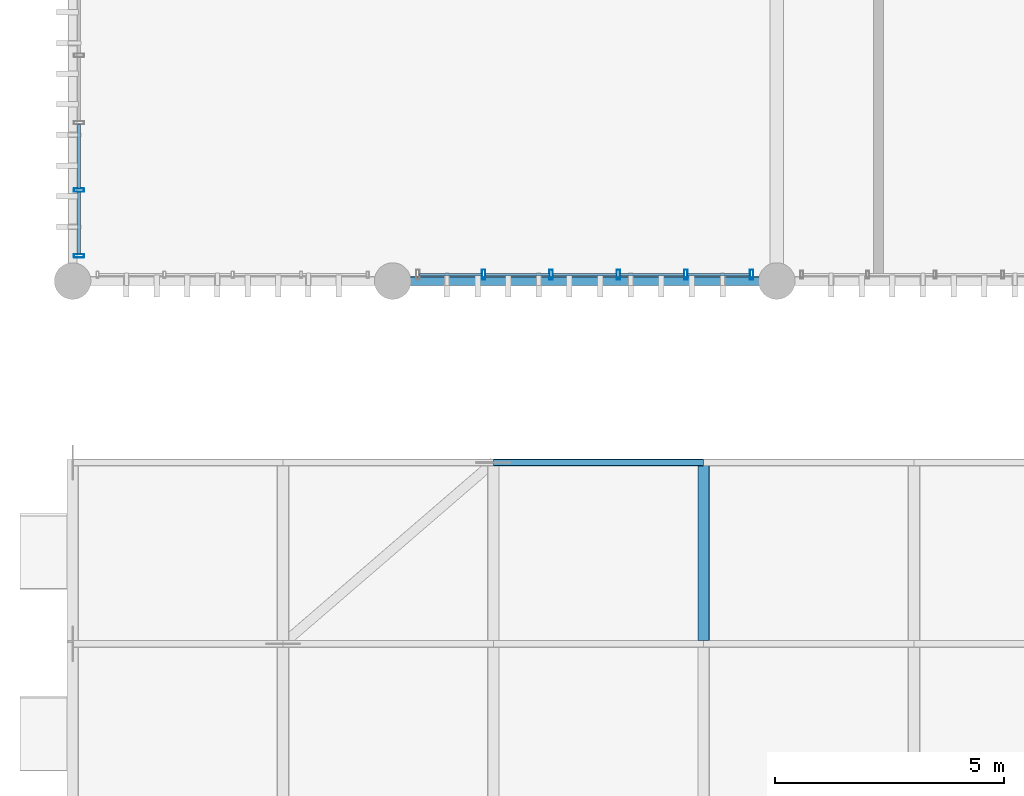
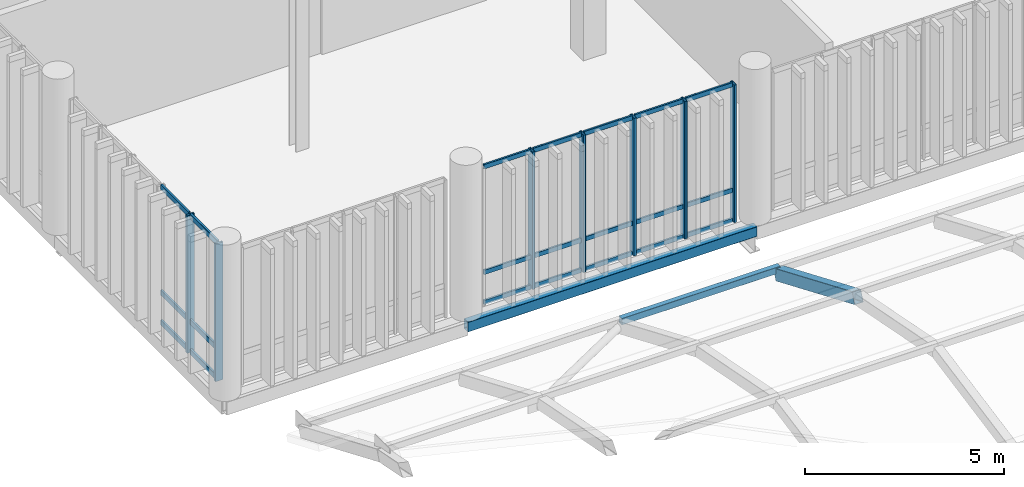
# One storey, part 13 of 94: 29 members, 2 beams, 2 elements without a shape of their own.
"""IFC4 building model written with IfcOpenShell, lengths in metres."""

from ifc_helpers import new_model, si_unit, direction, frame, origin_with_axes, origin_2d_with_axis, place, context, subcontext, project, spatial, hollow_rectangle, extrude, material, material_profile, profile_set, type_object, element, aggregate, save


model = new_model("IFC4")

# Units and contexts
model_context = context("Model", 3, precision=1e-05, world=origin_with_axes(), true_north=direction((0.0, 1.0)))
body_context = subcontext(model_context, "Body", "Model", "MODEL_VIEW")
ifc_project = project(units=[si_unit("LENGTHUNIT", "METRE"), si_unit("AREAUNIT", "SQUARE_METRE"), si_unit("VOLUMEUNIT", "CUBIC_METRE"), si_unit("PLANEANGLEUNIT", "RADIAN"), si_unit("MASSUNIT", "GRAM", prefix="KILO"), si_unit("THERMODYNAMICTEMPERATUREUNIT", "KELVIN")], contexts=[model_context])

# Site, building, storey
site_placement = place(None, origin_with_axes())
site = spatial("IfcSite", under=ifc_project, at=site_placement, CompositionType="ELEMENT")
building_placement = place(site_placement, origin_with_axes())
building = spatial("IfcBuilding", under=site, at=building_placement, Name="Montbau Bow Law Courts", CompositionType="ELEMENT")
storey_placement = place(building_placement, frame((0.0, 0.0, 15.6), z_axis=(0.0, 0.0, 1.0), x_axis=(1.0, 0.0, 0.0)))
storey = spatial("IfcBuildingStorey", under=building, at=storey_placement, Name="L03", CompositionType="ELEMENT", Elevation=15.6)

# Beams
ifc_material_1 = material(Name="Steel CSA G40.21 Grade 350WT (350 MPa)", Category="steel")
ifc_material_profile_1 = material_profile(ifc_material_1, hollow_rectangle(XDim=0.254, YDim=0.356, WallThickness=0.0127, InnerFilletRadius=0.0254, OuterFilletRadius=0.0127, at=origin_2d_with_axis()), Name="HSS356X254X13", Category="Main", Priority=0)
ifc_profile_set_1 = profile_set([ifc_material_profile_1], Name="Steel CSA G40.21 Grade 350WT (350 MPa)")
beam_type_1 = type_object("IfcBeamType", Name="B-ARC-01", PredefinedType="USERDEFINED", material=ifc_profile_set_1)
beam_1_placement = place(None, frame((20.6, 22.667, 18.511), z_axis=(0.0, 0.921210714, -0.389064031), x_axis=(-1.0, 0.0, 0.0)))
element("IfcBeam", 1, at=beam_1_placement, inside=storey, type_object=beam_type_1, Name="Barrel vault roof truss arch rib V1-023", ObjectType="ARCH_RIB", PredefinedType="USERDEFINED", context=body_context, shape_type="SweptSolid", body=[
    extrude(hollow_rectangle(XDim=0.254, YDim=0.356, WallThickness=0.0127, InnerFilletRadius=0.0254, OuterFilletRadius=0.0127, at=origin_2d_with_axis()), origin_with_axes(), (0.0, 0.0, 1.0), 4.305204),
])
ifc_material_profile_2 = material_profile(ifc_material_1, hollow_rectangle(XDim=0.203, YDim=0.305, WallThickness=0.0127, InnerFilletRadius=0.0254, OuterFilletRadius=0.0127, at=origin_2d_with_axis()), Name="HSS305X203X13", Category="Main", Priority=0)
ifc_profile_set_2 = profile_set([ifc_material_profile_2], Name="Steel CSA G40.21 Grade 350WT (350 MPa)")
beam_type_2 = type_object("IfcBeamType", Name="B-SPN-02", PredefinedType="SPANDREL", material=ifc_profile_set_2)
beam_2_placement = place(None, frame((13.8, 30.6, 15.207), z_axis=(1.0, 0.0, 0.0), x_axis=(0.0, 1.0, 0.0)))
element("IfcBeam", 2, at=beam_2_placement, inside=storey, type_object=beam_type_2, Name="SPN-L03-S0582:bm2_0585", PredefinedType="SPANDREL", context=body_context, shape_type="SweptSolid", body=[
    extrude(hollow_rectangle(XDim=0.203, YDim=0.305, WallThickness=0.0127, InnerFilletRadius=0.0254, OuterFilletRadius=0.0127, at=origin_2d_with_axis()), origin_with_axes(), (0.0, 0.0, 1.0), 8.4),
])

# Curtain wall, members
ifc_material_2 = material(Name="Thermally Broken Extruded Aluminium AA 6063-T6", Category="aluminium")
curtain_wall_type = type_object("IfcCurtainWallType", Name="CW-TRC-01", PredefinedType="NOTDEFINED", material=ifc_material_2)
curtain_wall_1_placement = place(None, frame((14.315, 30.74, 15.6), z_axis=(0.0, 0.0, 1.0), x_axis=(1.0, 0.0, 0.0)))
curtain_wall_1 = element("IfcCurtainWall", 3, at=curtain_wall_1_placement, inside=storey, type_object=curtain_wall_type, Name="CW-L03-051:cw_0051", PredefinedType="NOTDEFINED")
ifc_material_profile_3 = material_profile(ifc_material_2, hollow_rectangle(XDim=0.075, YDim=0.22, WallThickness=0.005, InnerFilletRadius=0.01, OuterFilletRadius=0.005, at=origin_2d_with_axis()), Name="CWM-220X75", Category="Main", Priority=0)
ifc_profile_set_3 = profile_set([ifc_material_profile_3], Name="Thermally Broken Extruded Aluminium AA 6063-T6")
member_type_1 = type_object("IfcMemberType", Name="M-MUL-01", PredefinedType="MULLION", material=ifc_profile_set_3)
member_1_placement = place(None, frame((15.789, 30.74, 15.6), z_axis=(0.0, 0.0, 1.0), x_axis=(1.0, 0.0, 0.0)))
member_1 = element("IfcMember", 4, at=member_1_placement, type_object=member_type_1, Name="CW-L03-051-M02:cw_0051_M02", PredefinedType="MULLION", context=body_context, shape_type="SweptSolid", body=[
    extrude(hollow_rectangle(XDim=0.075, YDim=0.22, WallThickness=0.005, InnerFilletRadius=0.01, OuterFilletRadius=0.005, at=origin_2d_with_axis()), origin_with_axes(), (0.0, 0.0, 1.0), 4.22),
])
member_2_placement = place(None, frame((17.263, 30.74, 15.6), z_axis=(0.0, 0.0, 1.0), x_axis=(1.0, 0.0, 0.0)))
member_2 = element("IfcMember", 5, at=member_2_placement, type_object=member_type_1, Name="CW-L03-051-M03:cw_0051_M03", PredefinedType="MULLION", context=body_context, shape_type="SweptSolid", body=[
    extrude(hollow_rectangle(XDim=0.075, YDim=0.22, WallThickness=0.005, InnerFilletRadius=0.01, OuterFilletRadius=0.005, at=origin_2d_with_axis()), origin_with_axes(), (0.0, 0.0, 1.0), 4.22),
])
member_3_placement = place(None, frame((18.737, 30.74, 15.6), z_axis=(0.0, 0.0, 1.0), x_axis=(1.0, 0.0, 0.0)))
member_3 = element("IfcMember", 6, at=member_3_placement, type_object=member_type_1, Name="CW-L03-051-M04:cw_0051_M04", PredefinedType="MULLION", context=body_context, shape_type="SweptSolid", body=[
    extrude(hollow_rectangle(XDim=0.075, YDim=0.22, WallThickness=0.005, InnerFilletRadius=0.01, OuterFilletRadius=0.005, at=origin_2d_with_axis()), origin_with_axes(), (0.0, 0.0, 1.0), 4.22),
])
member_4_placement = place(None, frame((20.211, 30.74, 15.6), z_axis=(0.0, 0.0, 1.0), x_axis=(1.0, 0.0, 0.0)))
member_4 = element("IfcMember", 7, at=member_4_placement, type_object=member_type_1, Name="CW-L03-051-M05:cw_0051_M05", PredefinedType="MULLION", context=body_context, shape_type="SweptSolid", body=[
    extrude(hollow_rectangle(XDim=0.075, YDim=0.22, WallThickness=0.005, InnerFilletRadius=0.01, OuterFilletRadius=0.005, at=origin_2d_with_axis()), origin_with_axes(), (0.0, 0.0, 1.0), 4.22),
])
member_5_placement = place(None, frame((21.647, 30.74, 15.6), z_axis=(0.0, 0.0, 1.0), x_axis=(1.0, 0.0, 0.0)))
member_5 = element("IfcMember", 8, at=member_5_placement, type_object=member_type_1, Name="CW-L03-051-M06:cw_0051_M06", PredefinedType="MULLION", context=body_context, shape_type="SweptSolid", body=[
    extrude(hollow_rectangle(XDim=0.075, YDim=0.22, WallThickness=0.005, InnerFilletRadius=0.01, OuterFilletRadius=0.005, at=origin_2d_with_axis()), origin_with_axes(), (0.0, 0.0, 1.0), 4.22),
])

curtain_wall_2_placement = place(None, frame((6.94, 31.115, 15.6), z_axis=(0.0, 0.0, 1.0), x_axis=(1.0, 0.0, 0.0)))
curtain_wall_2 = element("IfcCurtainWall", 9, at=curtain_wall_2_placement, inside=storey, type_object=curtain_wall_type, Name="CW-L03-060:cw_0060", PredefinedType="NOTDEFINED")
member_6_placement = place(None, frame((6.94, 31.152, 15.6), z_axis=(0.0, 0.0, 1.0), x_axis=(0.0, 1.0, 0.0)))
member_6 = element("IfcMember", 10, at=member_6_placement, type_object=member_type_1, Name="CW-L03-060-M01:cw_0060_M01", PredefinedType="MULLION", context=body_context, shape_type="SweptSolid", body=[
    extrude(hollow_rectangle(XDim=0.075, YDim=0.22, WallThickness=0.005, InnerFilletRadius=0.01, OuterFilletRadius=0.005, at=origin_2d_with_axis()), origin_with_axes(), (0.0, 0.0, 1.0), 4.22),
])
member_7_placement = place(None, frame((6.94, 32.589, 15.6), z_axis=(0.0, 0.0, 1.0), x_axis=(0.0, 1.0, 0.0)))
member_7 = element("IfcMember", 11, at=member_7_placement, type_object=member_type_1, Name="CW-L03-060-M02:cw_0060_M02", PredefinedType="MULLION", context=body_context, shape_type="SweptSolid", body=[
    extrude(hollow_rectangle(XDim=0.075, YDim=0.22, WallThickness=0.005, InnerFilletRadius=0.01, OuterFilletRadius=0.005, at=origin_2d_with_axis()), origin_with_axes(), (0.0, 0.0, 1.0), 4.22),
])

# Member
ifc_material_profile_4 = material_profile(ifc_material_1, hollow_rectangle(XDim=0.152, YDim=0.203, WallThickness=0.0095, InnerFilletRadius=0.019, OuterFilletRadius=0.0095, at=origin_2d_with_axis()), Name="HSS203X152X9.5", Category="Main", Priority=0)
ifc_profile_set_4 = profile_set([ifc_material_profile_4], Name="Steel CSA G40.21 Grade 350WT (350 MPa)")
member_type_2 = type_object("IfcMemberType", Name="M-PUR-01", PredefinedType="PURLIN", material=ifc_profile_set_4)
member_8_placement = place(None, frame((16.0, 26.633, 16.994), z_axis=(1.0, 0.0, 0.0), x_axis=(0.0, 1.0, 0.0)))
element("IfcMember", 12, at=member_8_placement, inside=storey, type_object=member_type_2, Name="Barrel vault roof truss purlin V1-020", PredefinedType="PURLIN", context=body_context, shape_type="SweptSolid", body=[
    extrude(hollow_rectangle(XDim=0.152, YDim=0.203, WallThickness=0.0095, InnerFilletRadius=0.019, OuterFilletRadius=0.0095, at=origin_2d_with_axis()), origin_with_axes(), (0.0, 0.0, 1.0), 4.6),
])

ifc_material_profile_5 = material_profile(ifc_material_2, hollow_rectangle(XDim=0.06, YDim=0.16, WallThickness=0.004, InnerFilletRadius=0.008, OuterFilletRadius=0.004, at=origin_2d_with_axis()), Name="CWT-160X60", Category="Main", Priority=0)
ifc_profile_set_5 = profile_set([ifc_material_profile_5], Name="Thermally Broken Extruded Aluminium AA 6063-T6")
member_type_3 = type_object("IfcMemberType", Name="M-TRN-01", PredefinedType="USERDEFINED", material=ifc_profile_set_5)
member_9_placement = place(None, frame((6.94, 31.191, 15.63), z_axis=(0.0, 1.0, 0.0), x_axis=(-1.0, 0.0, 0.0)))
member_9 = element("IfcMember", 13, at=member_9_placement, type_object=member_type_3, Name="CW-L03-060-T01-1:cw_0060_T01_1", ObjectType="TRANSOM", PredefinedType="USERDEFINED", context=body_context, shape_type="SweptSolid", body=[
    extrude(hollow_rectangle(XDim=0.06, YDim=0.16, WallThickness=0.004, InnerFilletRadius=0.008, OuterFilletRadius=0.004, at=origin_2d_with_axis()), origin_with_axes(), (0.0, 0.0, 1.0), 1.358),
])

member_10_placement = place(None, frame((6.94, 31.191, 16.55), z_axis=(0.0, 1.0, 0.0), x_axis=(-1.0, 0.0, 0.0)))
member_10 = element("IfcMember", 14, at=member_10_placement, type_object=member_type_3, Name="CW-L03-060-T01-2:cw_0060_T01_2", ObjectType="TRANSOM", PredefinedType="USERDEFINED", context=body_context, shape_type="SweptSolid", body=[
    extrude(hollow_rectangle(XDim=0.06, YDim=0.16, WallThickness=0.004, InnerFilletRadius=0.008, OuterFilletRadius=0.004, at=origin_2d_with_axis()), origin_with_axes(), (0.0, 0.0, 1.0), 1.358),
])

member_11_placement = place(None, frame((6.94, 31.191, 19.79), z_axis=(0.0, 1.0, 0.0), x_axis=(-1.0, 0.0, 0.0)))
member_11 = element("IfcMember", 15, at=member_11_placement, type_object=member_type_3, Name="CW-L03-060-T01-3:cw_0060_T01_3", ObjectType="TRANSOM", PredefinedType="USERDEFINED", context=body_context, shape_type="SweptSolid", body=[
    extrude(hollow_rectangle(XDim=0.06, YDim=0.16, WallThickness=0.004, InnerFilletRadius=0.008, OuterFilletRadius=0.004, at=origin_2d_with_axis()), origin_with_axes(), (0.0, 0.0, 1.0), 1.358),
])

member_12_placement = place(None, frame((6.94, 32.629, 15.63), z_axis=(0.0, 1.0, 0.0), x_axis=(-1.0, 0.0, 0.0)))
member_12 = element("IfcMember", 16, at=member_12_placement, type_object=member_type_3, Name="CW-L03-060-T02-1:cw_0060_T02_1", ObjectType="TRANSOM", PredefinedType="USERDEFINED", context=body_context, shape_type="SweptSolid", body=[
    extrude(hollow_rectangle(XDim=0.06, YDim=0.16, WallThickness=0.004, InnerFilletRadius=0.008, OuterFilletRadius=0.004, at=origin_2d_with_axis()), origin_with_axes(), (0.0, 0.0, 1.0), 1.395),
])

member_13_placement = place(None, frame((6.94, 32.629, 16.55), z_axis=(0.0, 1.0, 0.0), x_axis=(-1.0, 0.0, 0.0)))
member_13 = element("IfcMember", 17, at=member_13_placement, type_object=member_type_3, Name="CW-L03-060-T02-2:cw_0060_T02_2", ObjectType="TRANSOM", PredefinedType="USERDEFINED", context=body_context, shape_type="SweptSolid", body=[
    extrude(hollow_rectangle(XDim=0.06, YDim=0.16, WallThickness=0.004, InnerFilletRadius=0.008, OuterFilletRadius=0.004, at=origin_2d_with_axis()), origin_with_axes(), (0.0, 0.0, 1.0), 1.395),
])

member_14_placement = place(None, frame((6.94, 32.629, 19.79), z_axis=(0.0, 1.0, 0.0), x_axis=(-1.0, 0.0, 0.0)))
member_14 = element("IfcMember", 18, at=member_14_placement, type_object=member_type_3, Name="CW-L03-060-T02-3:cw_0060_T02_3", ObjectType="TRANSOM", PredefinedType="USERDEFINED", context=body_context, shape_type="SweptSolid", body=[
    extrude(hollow_rectangle(XDim=0.06, YDim=0.16, WallThickness=0.004, InnerFilletRadius=0.008, OuterFilletRadius=0.004, at=origin_2d_with_axis()), origin_with_axes(), (0.0, 0.0, 1.0), 1.395),
])

aggregate(curtain_wall_2, [member_6, member_7, member_9, member_10, member_11, member_12, member_13, member_14])

ifc_material_profile_6 = material_profile(ifc_material_2, hollow_rectangle(XDim=0.055, YDim=0.14, WallThickness=0.004, InnerFilletRadius=0.008, OuterFilletRadius=0.004, at=origin_2d_with_axis()), Name="CWT-140X55", Category="Main", Priority=0)
ifc_profile_set_6 = profile_set([ifc_material_profile_6], Name="Thermally Broken Extruded Aluminium AA 6063-T6")
member_type_4 = type_object("IfcMemberType", Name="M-TRN-02", PredefinedType="USERDEFINED", material=ifc_profile_set_6)
member_15_placement = place(None, frame((14.391, 30.74, 15.627), z_axis=(1.0, 0.0, 0.0), x_axis=(0.0, 1.0, 0.0)))
member_15 = element("IfcMember", 19, at=member_15_placement, type_object=member_type_4, Name="CW-L03-051-T01-1:cw_0051_T01_1", ObjectType="TRANSOM", PredefinedType="USERDEFINED", context=body_context, shape_type="SweptSolid", body=[
    extrude(hollow_rectangle(XDim=0.055, YDim=0.14, WallThickness=0.004, InnerFilletRadius=0.008, OuterFilletRadius=0.004, at=origin_2d_with_axis()), origin_with_axes(), (0.0, 0.0, 1.0), 1.358),
])

member_16_placement = place(None, frame((14.391, 30.74, 16.55), z_axis=(1.0, 0.0, 0.0), x_axis=(0.0, 1.0, 0.0)))
member_16 = element("IfcMember", 20, at=member_16_placement, type_object=member_type_4, Name="CW-L03-051-T01-2:cw_0051_T01_2", ObjectType="TRANSOM", PredefinedType="USERDEFINED", context=body_context, shape_type="SweptSolid", body=[
    extrude(hollow_rectangle(XDim=0.055, YDim=0.14, WallThickness=0.004, InnerFilletRadius=0.008, OuterFilletRadius=0.004, at=origin_2d_with_axis()), origin_with_axes(), (0.0, 0.0, 1.0), 1.358),
])

member_17_placement = place(None, frame((14.391, 30.74, 19.793), z_axis=(1.0, 0.0, 0.0), x_axis=(0.0, 1.0, 0.0)))
member_17 = element("IfcMember", 21, at=member_17_placement, type_object=member_type_4, Name="CW-L03-051-T01-3:cw_0051_T01_3", ObjectType="TRANSOM", PredefinedType="USERDEFINED", context=body_context, shape_type="SweptSolid", body=[
    extrude(hollow_rectangle(XDim=0.055, YDim=0.14, WallThickness=0.004, InnerFilletRadius=0.008, OuterFilletRadius=0.004, at=origin_2d_with_axis()), origin_with_axes(), (0.0, 0.0, 1.0), 1.358),
])

member_18_placement = place(None, frame((15.829, 30.74, 15.627), z_axis=(1.0, 0.0, 0.0), x_axis=(0.0, 1.0, 0.0)))
member_18 = element("IfcMember", 22, at=member_18_placement, type_object=member_type_4, Name="CW-L03-051-T02-1:cw_0051_T02_1", ObjectType="TRANSOM", PredefinedType="USERDEFINED", context=body_context, shape_type="SweptSolid", body=[
    extrude(hollow_rectangle(XDim=0.055, YDim=0.14, WallThickness=0.004, InnerFilletRadius=0.008, OuterFilletRadius=0.004, at=origin_2d_with_axis()), origin_with_axes(), (0.0, 0.0, 1.0), 1.395),
])

member_19_placement = place(None, frame((15.829, 30.74, 16.55), z_axis=(1.0, 0.0, 0.0), x_axis=(0.0, 1.0, 0.0)))
member_19 = element("IfcMember", 23, at=member_19_placement, type_object=member_type_4, Name="CW-L03-051-T02-2:cw_0051_T02_2", ObjectType="TRANSOM", PredefinedType="USERDEFINED", context=body_context, shape_type="SweptSolid", body=[
    extrude(hollow_rectangle(XDim=0.055, YDim=0.14, WallThickness=0.004, InnerFilletRadius=0.008, OuterFilletRadius=0.004, at=origin_2d_with_axis()), origin_with_axes(), (0.0, 0.0, 1.0), 1.395),
])

member_20_placement = place(None, frame((15.829, 30.74, 19.793), z_axis=(1.0, 0.0, 0.0), x_axis=(0.0, 1.0, 0.0)))
member_20 = element("IfcMember", 24, at=member_20_placement, type_object=member_type_4, Name="CW-L03-051-T02-3:cw_0051_T02_3", ObjectType="TRANSOM", PredefinedType="USERDEFINED", context=body_context, shape_type="SweptSolid", body=[
    extrude(hollow_rectangle(XDim=0.055, YDim=0.14, WallThickness=0.004, InnerFilletRadius=0.008, OuterFilletRadius=0.004, at=origin_2d_with_axis()), origin_with_axes(), (0.0, 0.0, 1.0), 1.395),
])

member_21_placement = place(None, frame((17.302, 30.74, 15.627), z_axis=(1.0, 0.0, 0.0), x_axis=(0.0, 1.0, 0.0)))
member_21 = element("IfcMember", 25, at=member_21_placement, type_object=member_type_4, Name="CW-L03-051-T03-1:cw_0051_T03_1", ObjectType="TRANSOM", PredefinedType="USERDEFINED", context=body_context, shape_type="SweptSolid", body=[
    extrude(hollow_rectangle(XDim=0.055, YDim=0.14, WallThickness=0.004, InnerFilletRadius=0.008, OuterFilletRadius=0.004, at=origin_2d_with_axis()), origin_with_axes(), (0.0, 0.0, 1.0), 1.396),
])

member_22_placement = place(None, frame((17.302, 30.74, 16.55), z_axis=(1.0, 0.0, 0.0), x_axis=(0.0, 1.0, 0.0)))
member_22 = element("IfcMember", 26, at=member_22_placement, type_object=member_type_4, Name="CW-L03-051-T03-2:cw_0051_T03_2", ObjectType="TRANSOM", PredefinedType="USERDEFINED", context=body_context, shape_type="SweptSolid", body=[
    extrude(hollow_rectangle(XDim=0.055, YDim=0.14, WallThickness=0.004, InnerFilletRadius=0.008, OuterFilletRadius=0.004, at=origin_2d_with_axis()), origin_with_axes(), (0.0, 0.0, 1.0), 1.396),
])

member_23_placement = place(None, frame((17.302, 30.74, 19.793), z_axis=(1.0, 0.0, 0.0), x_axis=(0.0, 1.0, 0.0)))
member_23 = element("IfcMember", 27, at=member_23_placement, type_object=member_type_4, Name="CW-L03-051-T03-3:cw_0051_T03_3", ObjectType="TRANSOM", PredefinedType="USERDEFINED", context=body_context, shape_type="SweptSolid", body=[
    extrude(hollow_rectangle(XDim=0.055, YDim=0.14, WallThickness=0.004, InnerFilletRadius=0.008, OuterFilletRadius=0.004, at=origin_2d_with_axis()), origin_with_axes(), (0.0, 0.0, 1.0), 1.396),
])

member_24_placement = place(None, frame((18.776, 30.74, 15.627), z_axis=(1.0, 0.0, 0.0), x_axis=(0.0, 1.0, 0.0)))
member_24 = element("IfcMember", 28, at=member_24_placement, type_object=member_type_4, Name="CW-L03-051-T04-1:cw_0051_T04_1", ObjectType="TRANSOM", PredefinedType="USERDEFINED", context=body_context, shape_type="SweptSolid", body=[
    extrude(hollow_rectangle(XDim=0.055, YDim=0.14, WallThickness=0.004, InnerFilletRadius=0.008, OuterFilletRadius=0.004, at=origin_2d_with_axis()), origin_with_axes(), (0.0, 0.0, 1.0), 1.396),
])

member_25_placement = place(None, frame((18.776, 30.74, 16.55), z_axis=(1.0, 0.0, 0.0), x_axis=(0.0, 1.0, 0.0)))
member_25 = element("IfcMember", 29, at=member_25_placement, type_object=member_type_4, Name="CW-L03-051-T04-2:cw_0051_T04_2", ObjectType="TRANSOM", PredefinedType="USERDEFINED", context=body_context, shape_type="SweptSolid", body=[
    extrude(hollow_rectangle(XDim=0.055, YDim=0.14, WallThickness=0.004, InnerFilletRadius=0.008, OuterFilletRadius=0.004, at=origin_2d_with_axis()), origin_with_axes(), (0.0, 0.0, 1.0), 1.396),
])

member_26_placement = place(None, frame((18.776, 30.74, 19.793), z_axis=(1.0, 0.0, 0.0), x_axis=(0.0, 1.0, 0.0)))
member_26 = element("IfcMember", 30, at=member_26_placement, type_object=member_type_4, Name="CW-L03-051-T04-3:cw_0051_T04_3", ObjectType="TRANSOM", PredefinedType="USERDEFINED", context=body_context, shape_type="SweptSolid", body=[
    extrude(hollow_rectangle(XDim=0.055, YDim=0.14, WallThickness=0.004, InnerFilletRadius=0.008, OuterFilletRadius=0.004, at=origin_2d_with_axis()), origin_with_axes(), (0.0, 0.0, 1.0), 1.396),
])

member_27_placement = place(None, frame((20.25, 30.74, 15.627), z_axis=(1.0, 0.0, 0.0), x_axis=(0.0, 1.0, 0.0)))
member_27 = element("IfcMember", 31, at=member_27_placement, type_object=member_type_4, Name="CW-L03-051-T05-1:cw_0051_T05_1", ObjectType="TRANSOM", PredefinedType="USERDEFINED", context=body_context, shape_type="SweptSolid", body=[
    extrude(hollow_rectangle(XDim=0.055, YDim=0.14, WallThickness=0.004, InnerFilletRadius=0.008, OuterFilletRadius=0.004, at=origin_2d_with_axis()), origin_with_axes(), (0.0, 0.0, 1.0), 1.358),
])

member_28_placement = place(None, frame((20.25, 30.74, 16.55), z_axis=(1.0, 0.0, 0.0), x_axis=(0.0, 1.0, 0.0)))
member_28 = element("IfcMember", 32, at=member_28_placement, type_object=member_type_4, Name="CW-L03-051-T05-2:cw_0051_T05_2", ObjectType="TRANSOM", PredefinedType="USERDEFINED", context=body_context, shape_type="SweptSolid", body=[
    extrude(hollow_rectangle(XDim=0.055, YDim=0.14, WallThickness=0.004, InnerFilletRadius=0.008, OuterFilletRadius=0.004, at=origin_2d_with_axis()), origin_with_axes(), (0.0, 0.0, 1.0), 1.358),
])

member_29_placement = place(None, frame((20.25, 30.74, 19.793), z_axis=(1.0, 0.0, 0.0), x_axis=(0.0, 1.0, 0.0)))
member_29 = element("IfcMember", 33, at=member_29_placement, type_object=member_type_4, Name="CW-L03-051-T05-3:cw_0051_T05_3", ObjectType="TRANSOM", PredefinedType="USERDEFINED", context=body_context, shape_type="SweptSolid", body=[
    extrude(hollow_rectangle(XDim=0.055, YDim=0.14, WallThickness=0.004, InnerFilletRadius=0.008, OuterFilletRadius=0.004, at=origin_2d_with_axis()), origin_with_axes(), (0.0, 0.0, 1.0), 1.358),
])

aggregate(curtain_wall_1, [member_1, member_2, member_3, member_4, member_5, member_15, member_16, member_17, member_18, member_19, member_20, member_21, member_22, member_23, member_24, member_25, member_26, member_27, member_28, member_29])

save(model, "model.ifc")
